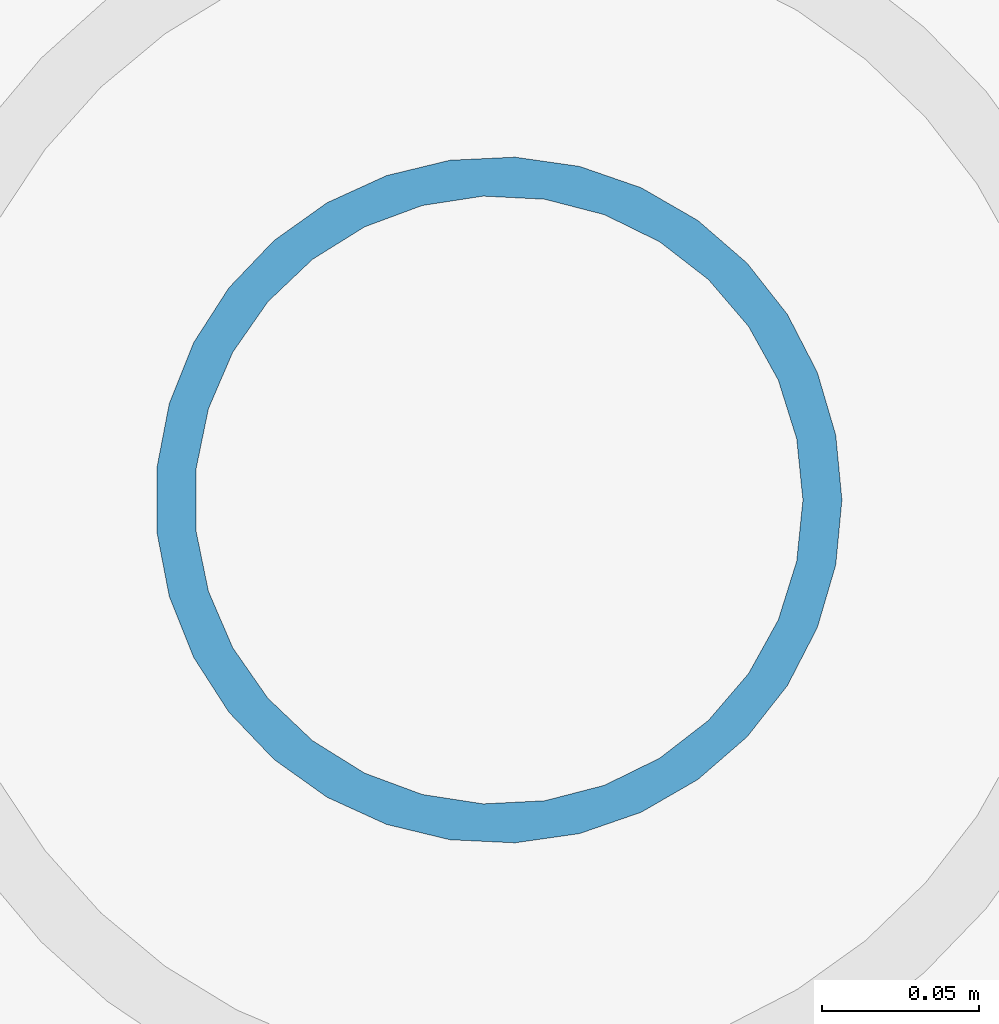
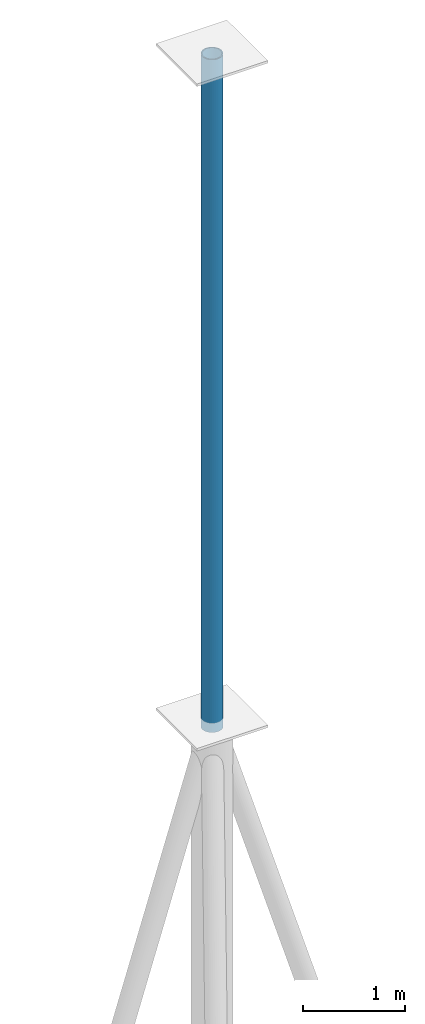
# One storey, part 2 of 5: 1 member.
"""IFC4 building model written with IfcOpenShell, lengths in metres."""

from ifc_helpers import new_model, si_unit, direction, frame, origin, origin_2d, place, context, subcontext, project, spatial, hollow_circle, extrude, material, material_profile, profile_set, type_object, element, save


model = new_model("IFC4")

# Units and contexts
model_context = context("Model", 3, precision=1e-05, world=origin(), true_north=direction((0.0, 1.0)))
body_context = subcontext(model_context, "Body", "Model", "MODEL_VIEW")
ifc_project = project(units=[si_unit("LENGTHUNIT", "METRE"), si_unit("AREAUNIT", "SQUARE_METRE"), si_unit("VOLUMEUNIT", "CUBIC_METRE"), si_unit("PLANEANGLEUNIT", "RADIAN"), si_unit("MASSUNIT", "GRAM", prefix="KILO")], contexts=[model_context])

# Site, building, storey
site_placement = place(None, origin())
site = spatial("IfcSite", under=ifc_project, at=site_placement, CompositionType="ELEMENT")
building_placement = place(site_placement, origin())
building = spatial("IfcBuilding", under=site, at=building_placement, Name="Trevonay Congress Spire", CompositionType="ELEMENT")
storey_placement = place(building_placement, frame((0.0, 0.0, 323.60009765625)))
storey = spatial("IfcBuildingStorey", under=building, at=storey_placement, Name="RF", CompositionType="ELEMENT", Elevation=323.60009765625)

# Member
ifc_material = material(Name="Steel ASTM A500 Grade C", Category="steel")
ifc_material_profile = material_profile(ifc_material, hollow_circle(Radius=0.109619140625, WallThickness=0.012451171875, at=origin_2d()), Name="CHS 219.1x12.5")
ifc_profile_set = profile_set([ifc_material_profile], Name="Steel ASTM A500 Grade C")
member_type = type_object("IfcMemberType", Name="MBR-SPIRE-TIP219", PredefinedType="USERDEFINED", material=ifc_profile_set)
member_placement = place(storey_placement, frame((0.0, 0.0, 20.349853515625), z_axis=(0.0, 0.0, 1.0), x_axis=(1.0, 0.0, 0.0)))
element("IfcMember", 1, at=member_placement, inside=storey, type_object=member_type, Name="Structural steel needle spire upper finial mast", ObjectType="SPIRE", PredefinedType="USERDEFINED", context=body_context, shape_type="SweptSolid", body=[
    extrude(hollow_circle(Radius=0.109619140625, WallThickness=0.012451171875, at=origin_2d()), origin(), (0.0, 0.0, 1.0), 8.03515625),
])

save(model, "model.ifc")
